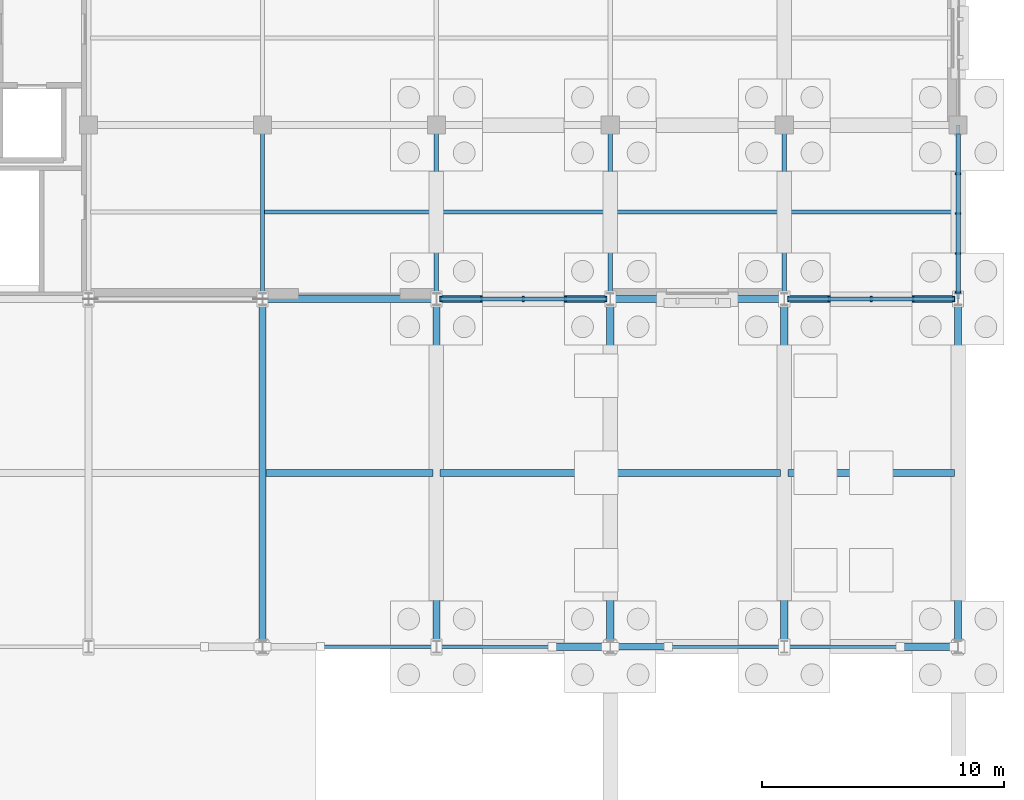
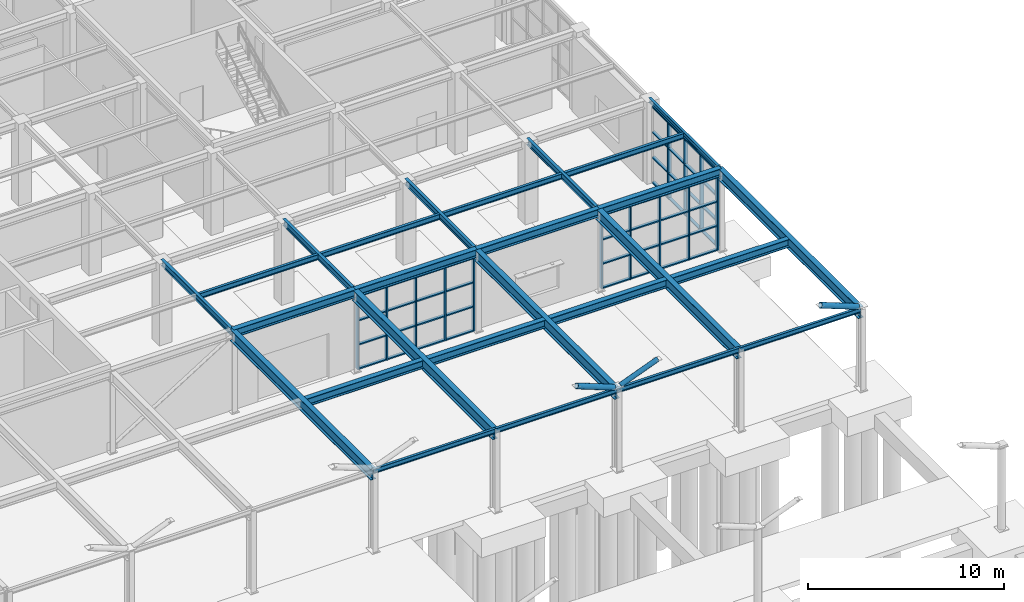
# One storey, part 33 of 75: 29 members, 26 beams, 3 elements without a shape of their own.
"""IFC4 building model written with IfcOpenShell, lengths in metres."""

from ifc_helpers import new_model, si_unit, direction, frame, origin, origin_2d, place, context, subcontext, project, spatial, rectangle, hollow_circle, i_section, extrude, material, material_profile, profile_set, type_object, element, aggregate, save


model = new_model("IFC4")

# Units and contexts
model_context = context("Model", 3, precision=1e-05, world=origin(), true_north=direction((0.0, 1.0)))
body_context = subcontext(model_context, "Body", "Model", "MODEL_VIEW")
ifc_project = project(units=[si_unit("LENGTHUNIT", "METRE"), si_unit("AREAUNIT", "SQUARE_METRE"), si_unit("VOLUMEUNIT", "CUBIC_METRE"), si_unit("PLANEANGLEUNIT", "RADIAN"), si_unit("MASSUNIT", "GRAM", prefix="KILO")], contexts=[model_context])

# Site, building, storey
site_placement = place(None, origin())
site = spatial("IfcSite", under=ifc_project, at=site_placement, CompositionType="ELEMENT")
building_placement = place(site_placement, origin())
building = spatial("IfcBuilding", under=site, at=building_placement, Name="Leyfeld Transit Interchange", CompositionType="ELEMENT")
storey_placement = place(building_placement, origin())
storey = spatial("IfcBuildingStorey", under=building, at=storey_placement, Name="L00", CompositionType="ELEMENT", Elevation=0.0)

# Beams
ifc_material_1 = material(Name="Steel S355J2", Category="steel")
ifc_material_profile_1 = material_profile(ifc_material_1, i_section(OverallWidth=0.300048828125, OverallDepth=0.5, WebThickness=0.014404296875, FlangeThickness=0.028076171875, FilletRadius=0.027099609375, at=origin_2d()), Name="HEB 500")
ifc_profile_set_1 = profile_set([ifc_material_profile_1], Name="Steel S355J2")
beam_type_1 = type_object("IfcBeamType", Name="BM-STL-HEB500", PredefinedType="JOIST", material=ifc_profile_set_1)
beam_1_placement = place(storey_placement, frame((158.547119140625, 50.39990234375, 4.85009765625), z_axis=(1.0, 0.0, 0.0), x_axis=(0.0, 1.0, 0.0)))
element("IfcBeam", 1, at=beam_1_placement, inside=storey, type_object=beam_type_1, Name="Beam BM-L00-1585_0504-1655_0504", PredefinedType="JOIST", context=body_context, shape_type="SweptSolid", body=[
    extrude(i_section(OverallWidth=0.300048828125, OverallDepth=0.5, WebThickness=0.014404296875, FlangeThickness=0.028076171875, FilletRadius=0.027099609375, at=origin_2d()), origin(), (0.0, 0.0, 1.0), 6.90576171875),
])
for number, where, z_axis, x_axis, name in (
    (2, (165.7470703125, 50.39990234375, 4.85009765625), (1.0, 0.0, 0.0), (0.0, 1.0, 0.0), "Beam BM-L00-1657_0504-1727_0504"),
    (3, (172.947021484375, 50.39990234375, 4.85009765625), (1.0, 0.0, 0.0), (0.0, 1.0, 0.0), "Beam BM-L00-1729_0504-1799_0504"),
    (4, (180.14697265625, 50.39990234375, 4.85009765625), (1.0, 0.0, 0.0), (0.0, 1.0, 0.0), "Beam BM-L00-1801_0504-1871_0504"),
):
    element("IfcBeam", number, at=place(storey_placement, frame(where, z_axis=z_axis, x_axis=x_axis)), inside=storey, type_object=beam_type_1, Name=name, PredefinedType="JOIST", context=body_context, shape_type="SweptSolid", body=[
        extrude(i_section(OverallWidth=0.300048828125, OverallDepth=0.5, WebThickness=0.014404296875, FlangeThickness=0.028076171875, FilletRadius=0.027099609375, at=origin_2d()), origin(), (0.0, 0.0, 1.0), 6.906005859375),
    ])
beam_2_placement = place(storey_placement, frame((158.39990234375, 57.60009765625, 4.85009765625), z_axis=(1.0, 0.0, 0.0), x_axis=(0.0, 1.0, 0.0)))
element("IfcBeam", 5, at=beam_2_placement, inside=storey, type_object=beam_type_1, Name="Beam BM-L00-1584_0576-1656_0576", PredefinedType="JOIST", context=body_context, shape_type="SweptSolid", body=[
    extrude(i_section(OverallWidth=0.300048828125, OverallDepth=0.5, WebThickness=0.014404296875, FlangeThickness=0.028076171875, FilletRadius=0.027099609375, at=origin_2d()), origin(), (0.0, 0.0, 1.0), 7.2001953125),
])
for number, where, z_axis, x_axis, name in (
    (6, (165.60009765625, 57.60009765625, 4.85009765625), (1.0, 0.0, 0.0), (0.0, 1.0, 0.0), "Beam BM-L00-1656_0576-1728_0576"),
    (7, (172.800048828125, 57.60009765625, 4.85009765625), (1.0, 0.0, 0.0), (0.0, 1.0, 0.0), "Beam BM-L00-1728_0576-1800_0576"),
    (8, (180.0, 57.60009765625, 4.85009765625), (1.0, 0.0, 0.0), (0.0, 1.0, 0.0), "Beam BM-L00-1800_0576-1872_0576"),
):
    element("IfcBeam", number, at=place(storey_placement, frame(where, z_axis=z_axis, x_axis=x_axis)), inside=storey, type_object=beam_type_1, Name=name, PredefinedType="JOIST", context=body_context, shape_type="SweptSolid", body=[
        extrude(i_section(OverallWidth=0.300048828125, OverallDepth=0.5, WebThickness=0.014404296875, FlangeThickness=0.028076171875, FilletRadius=0.027099609375, at=origin_2d()), origin(), (0.0, 0.0, 1.0), 7.199951171875),
    ])
ifc_material_profile_2 = material_profile(ifc_material_1, i_section(OverallWidth=0.300048828125, OverallDepth=0.699951171875, WebThickness=0.01708984375, FlangeThickness=0.031982421875, FilletRadius=0.027099609375, at=origin_2d()), Name="HEB 700")
ifc_profile_set_2 = profile_set([ifc_material_profile_2], Name="Steel S355J2")
beam_type_2 = type_object("IfcBeamType", Name="BM-STL-HEB700", PredefinedType="JOIST", material=ifc_profile_set_2)
for number, where, z_axis, x_axis, name in (
    (9, (158.39990234375, 43.199951171875, 4.75), (0.0, 1.0, 0.0), (-1.0, 0.0, 0.0), "Beam BM-L00-1584_0432-1584_0576"),
    (10, (165.60009765625, 43.199951171875, 4.75), (0.0, 1.0, 0.0), (-1.0, 0.0, 0.0), "Beam BM-L00-1656_0432-1656_0576"),
    (11, (172.800048828125, 43.199951171875, 4.75), (0.0, 1.0, 0.0), (-1.0, 0.0, 0.0), "Beam BM-L00-1728_0432-1728_0576"),
    (12, (180.0, 43.199951171875, 4.75), (0.0, 1.0, 0.0), (-1.0, 0.0, 0.0), "Beam BM-L00-1800_0432-1800_0576"),
    (13, (187.199951171875, 43.199951171875, 4.75), (0.0, 1.0, 0.0), (-1.0, 0.0, 0.0), "Beam BM-L00-1872_0432-1872_0576"),
):
    element("IfcBeam", number, at=place(storey_placement, frame(where, z_axis=z_axis, x_axis=x_axis)), inside=storey, type_object=beam_type_2, Name=name, PredefinedType="JOIST", context=body_context, shape_type="SweptSolid", body=[
        extrude(i_section(OverallWidth=0.300048828125, OverallDepth=0.699951171875, WebThickness=0.01708984375, FlangeThickness=0.031982421875, FilletRadius=0.027099609375, at=origin_2d()), origin(), (0.0, 0.0, 1.0), 14.400146484375),
    ])
ifc_material_profile_3 = material_profile(ifc_material_1, i_section(OverallWidth=0.14990234375, OverallDepth=0.300048828125, WebThickness=0.007080078125, FlangeThickness=0.0107421875, FilletRadius=0.014892578125, at=origin_2d()), Name="IPE 300")
ifc_profile_set_3 = profile_set([ifc_material_profile_3], Name="Steel S355J2")
beam_type_3 = type_object("IfcBeamType", Name="BM-STL-IPE300", PredefinedType="SPANDREL", material=ifc_profile_set_3)
beam_3_placement = place(storey_placement, frame((187.199951171875, 57.60009765625, 4.949951171875), z_axis=(0.0, 1.0, 0.0), x_axis=(-1.0, 0.0, 0.0)))
element("IfcBeam", 14, at=beam_3_placement, inside=storey, type_object=beam_type_3, Name="Beam BM-L00-1872_0576-1872_0648", PredefinedType="SPANDREL", context=body_context, shape_type="SweptSolid", body=[
    extrude(i_section(OverallWidth=0.14990234375, OverallDepth=0.300048828125, WebThickness=0.007080078125, FlangeThickness=0.0107421875, FilletRadius=0.014892578125, at=origin_2d()), origin(), (0.0, 0.0, 1.0), 7.199951171875),
])
beam_4_placement = place(storey_placement, frame((158.39990234375, 43.199951171875, 4.949951171875), z_axis=(1.0, 0.0, 0.0), x_axis=(0.0, 1.0, 0.0)))
element("IfcBeam", 15, at=beam_4_placement, inside=storey, type_object=beam_type_3, Name="Beam BM-L00-1584_0432-1656_0432", PredefinedType="SPANDREL", context=body_context, shape_type="SweptSolid", body=[
    extrude(i_section(OverallWidth=0.14990234375, OverallDepth=0.300048828125, WebThickness=0.007080078125, FlangeThickness=0.0107421875, FilletRadius=0.014892578125, at=origin_2d()), origin(), (0.0, 0.0, 1.0), 7.2001953125),
])
for number, where, z_axis, x_axis, name in (
    (16, (165.60009765625, 43.199951171875, 4.949951171875), (1.0, 0.0, 0.0), (0.0, 1.0, 0.0), "Beam BM-L00-1656_0432-1728_0432"),
    (17, (172.800048828125, 43.199951171875, 4.949951171875), (1.0, 0.0, 0.0), (0.0, 1.0, 0.0), "Beam BM-L00-1728_0432-1800_0432"),
    (18, (180.0, 43.199951171875, 4.949951171875), (1.0, 0.0, 0.0), (0.0, 1.0, 0.0), "Beam BM-L00-1800_0432-1872_0432"),
):
    element("IfcBeam", number, at=place(storey_placement, frame(where, z_axis=z_axis, x_axis=x_axis)), inside=storey, type_object=beam_type_3, Name=name, PredefinedType="SPANDREL", context=body_context, shape_type="SweptSolid", body=[
        extrude(i_section(OverallWidth=0.14990234375, OverallDepth=0.300048828125, WebThickness=0.007080078125, FlangeThickness=0.0107421875, FilletRadius=0.014892578125, at=origin_2d()), origin(), (0.0, 0.0, 1.0), 7.199951171875),
    ])
ifc_material_profile_4 = material_profile(ifc_material_1, i_section(OverallWidth=0.159912109375, OverallDepth=0.330078125, WebThickness=0.007568359375, FlangeThickness=0.011474609375, FilletRadius=0.01806640625, at=origin_2d()), Name="IPE 330")
ifc_profile_set_4 = profile_set([ifc_material_profile_4], Name="Steel S355J2")
beam_type_4 = type_object("IfcBeamType", Name="BM-STL-IPE330", PredefinedType="BEAM", material=ifc_profile_set_4)
for number, where, z_axis, x_axis, name in (
    (19, (158.487060546875, 61.199951171875, 4.93505859375), (1.0, 0.0, 0.0), (0.0, 1.0, 0.0), "Beam BM-L00-1585_0612-1655_0612"),
    (20, (165.68701171875, 61.199951171875, 4.93505859375), (1.0, 0.0, 0.0), (0.0, 1.0, 0.0), "Beam BM-L00-1657_0612-1727_0612"),
):
    element("IfcBeam", number, at=place(storey_placement, frame(where, z_axis=z_axis, x_axis=x_axis)), inside=storey, type_object=beam_type_4, Name=name, PredefinedType="BEAM", context=body_context, shape_type="SweptSolid", body=[
        extrude(i_section(OverallWidth=0.159912109375, OverallDepth=0.330078125, WebThickness=0.007568359375, FlangeThickness=0.011474609375, FilletRadius=0.01806640625, at=origin_2d()), origin(), (0.0, 0.0, 1.0), 7.02587890625),
    ])
beam_5_placement = place(storey_placement, frame((172.886962890625, 61.199951171875, 4.93505859375), z_axis=(1.0, 0.0, 0.0), x_axis=(0.0, 1.0, 0.0)))
element("IfcBeam", 21, at=beam_5_placement, inside=storey, type_object=beam_type_4, Name="Beam BM-L00-1729_0612-1799_0612", PredefinedType="BEAM", context=body_context, shape_type="SweptSolid", body=[
    extrude(i_section(OverallWidth=0.159912109375, OverallDepth=0.330078125, WebThickness=0.007568359375, FlangeThickness=0.011474609375, FilletRadius=0.01806640625, at=origin_2d()), origin(), (0.0, 0.0, 1.0), 7.026123046875),
])
beam_6_placement = place(storey_placement, frame((180.0869140625, 61.199951171875, 4.93505859375), z_axis=(1.0, 0.0, 0.0), x_axis=(0.0, 1.0, 0.0)))
element("IfcBeam", 22, at=beam_6_placement, inside=storey, type_object=beam_type_4, Name="Beam BM-L00-1801_0612-1871_0612", PredefinedType="BEAM", context=body_context, shape_type="SweptSolid", body=[
    extrude(i_section(OverallWidth=0.159912109375, OverallDepth=0.330078125, WebThickness=0.007568359375, FlangeThickness=0.011474609375, FilletRadius=0.01806640625, at=origin_2d()), origin(), (0.0, 0.0, 1.0), 7.041015625),
])
ifc_material_profile_5 = material_profile(ifc_material_1, i_section(OverallWidth=0.179931640625, OverallDepth=0.39990234375, WebThickness=0.008544921875, FlangeThickness=0.013427734375, FilletRadius=0.02099609375, at=origin_2d()), Name="IPE 400")
ifc_profile_set_5 = profile_set([ifc_material_profile_5], Name="Steel S355J2")
beam_type_5 = type_object("IfcBeamType", Name="BM-STL-IPE400", PredefinedType="BEAM", material=ifc_profile_set_5)
for number, where, z_axis, x_axis, name in (
    (23, (158.39990234375, 57.60009765625, 4.89990234375), (0.0, 1.0, 0.0), (-1.0, 0.0, 0.0), "Beam BM-L00-1584_0576-1584_0648"),
    (24, (165.60009765625, 57.60009765625, 4.89990234375), (0.0, 1.0, 0.0), (-1.0, 0.0, 0.0), "Beam BM-L00-1656_0576-1656_0648"),
    (25, (172.800048828125, 57.60009765625, 4.89990234375), (0.0, 1.0, 0.0), (-1.0, 0.0, 0.0), "Beam BM-L00-1728_0576-1728_0648"),
    (26, (180.0, 57.60009765625, 4.89990234375), (0.0, 1.0, 0.0), (-1.0, 0.0, 0.0), "Beam BM-L00-1800_0576-1800_0648"),
):
    element("IfcBeam", number, at=place(storey_placement, frame(where, z_axis=z_axis, x_axis=x_axis)), inside=storey, type_object=beam_type_5, Name=name, PredefinedType="BEAM", context=body_context, shape_type="SweptSolid", body=[
        extrude(i_section(OverallWidth=0.179931640625, OverallDepth=0.39990234375, WebThickness=0.008544921875, FlangeThickness=0.013427734375, FilletRadius=0.02099609375, at=origin_2d()), origin(), (0.0, 0.0, 1.0), 7.199951171875),
    ])

# Curtain wall, members
ifc_material_2 = material(Name="Anodised aluminium EN AW-6060 T66", Category="aluminium")
curtain_wall_type = type_object("IfcCurtainWallType", Name="CW-SYS-BUS-7200", PredefinedType="NOTDEFINED", material=ifc_material_2)
curtain_wall_1_placement = place(storey_placement, origin())
curtain_wall_1 = element("IfcCurtainWall", 27, at=curtain_wall_1_placement, inside=storey, type_object=curtain_wall_type, Name="Curtain Wall CW-L00-046", PredefinedType="NOTDEFINED")
ifc_material_profile_6 = material_profile(ifc_material_2, rectangle(XDim=0.074951171875, YDim=0.219970703125, at=origin_2d()), Name="CW-M 75x220")
ifc_profile_set_6 = profile_set([ifc_material_profile_6], Name="Anodised aluminium EN AW-6060 T66")
member_type_1 = type_object("IfcMemberType", Name="CW-MUL-180x70", PredefinedType="MULLION", material=ifc_profile_set_6)
member_1_placement = place(storey_placement, frame((187.199951171875, 62.786376953125, 0.0), z_axis=(0.0, 0.0, 1.0), x_axis=(0.0, -1.0, 0.0)))
member_1 = element("IfcMember", 28, at=member_1_placement, type_object=member_type_1, Name="Curtain Mullion CW-L00-046-M02", PredefinedType="MULLION", context=body_context, shape_type="SweptSolid", body=[
    extrude(rectangle(XDim=0.074951171875, YDim=0.219970703125, at=origin_2d()), origin(), (0.0, 0.0, 1.0), 4.77001953125),
])
member_2_placement = place(storey_placement, frame((187.199951171875, 61.137451171875, 0.0), z_axis=(0.0, 0.0, 1.0), x_axis=(0.0, -1.0, 0.0)))
member_2 = element("IfcMember", 29, at=member_2_placement, type_object=member_type_1, Name="Curtain Mullion CW-L00-046-M03", PredefinedType="MULLION", context=body_context, shape_type="SweptSolid", body=[
    extrude(rectangle(XDim=0.074951171875, YDim=0.219970703125, at=origin_2d()), origin(), (0.0, 0.0, 1.0), 4.77001953125),
])
member_3_placement = place(storey_placement, frame((187.199951171875, 59.48876953125, 0.0), z_axis=(0.0, 0.0, 1.0), x_axis=(0.0, -1.0, 0.0)))
member_3 = element("IfcMember", 30, at=member_3_placement, type_object=member_type_1, Name="Curtain Mullion CW-L00-046-M04", PredefinedType="MULLION", context=body_context, shape_type="SweptSolid", body=[
    extrude(rectangle(XDim=0.074951171875, YDim=0.219970703125, at=origin_2d()), origin(), (0.0, 0.0, 1.0), 4.77001953125),
])
member_4_placement = place(storey_placement, frame((187.199951171875, 57.87744140625, 0.0), z_axis=(0.0, 0.0, 1.0), x_axis=(0.0, -1.0, 0.0)))
member_4 = element("IfcMember", 31, at=member_4_placement, type_object=member_type_1, Name="Curtain Mullion CW-L00-046-M05", PredefinedType="MULLION", context=body_context, shape_type="SweptSolid", body=[
    extrude(rectangle(XDim=0.074951171875, YDim=0.219970703125, at=origin_2d()), origin(), (0.0, 0.0, 1.0), 4.77001953125),
])

curtain_wall_2_placement = place(storey_placement, origin())
curtain_wall_2 = element("IfcCurtainWall", 32, at=curtain_wall_2_placement, inside=storey, type_object=curtain_wall_type, Name="Curtain Wall CW-L00-047", PredefinedType="NOTDEFINED")
member_5_placement = place(storey_placement, frame((187.0224609375, 57.60009765625, 0.0), z_axis=(0.0, 0.0, 1.0), x_axis=(-1.0, 0.0, 0.0)))
member_5 = element("IfcMember", 33, at=member_5_placement, type_object=member_type_1, Name="Curtain Mullion CW-L00-047-M01", PredefinedType="MULLION", context=body_context, shape_type="SweptSolid", body=[
    extrude(rectangle(XDim=0.074951171875, YDim=0.219970703125, at=origin_2d()), origin(), (0.0, 0.0, 1.0), 4.60009765625),
])
member_6_placement = place(storey_placement, frame((185.330078125, 57.60009765625, 0.0), z_axis=(0.0, 0.0, 1.0), x_axis=(-1.0, 0.0, 0.0)))
member_6 = element("IfcMember", 34, at=member_6_placement, type_object=member_type_1, Name="Curtain Mullion CW-L00-047-M02", PredefinedType="MULLION", context=body_context, shape_type="SweptSolid", body=[
    extrude(rectangle(XDim=0.074951171875, YDim=0.219970703125, at=origin_2d()), origin(), (0.0, 0.0, 1.0), 4.60009765625),
])
member_7_placement = place(storey_placement, frame((183.60009765625, 57.60009765625, 0.0), z_axis=(0.0, 0.0, 1.0), x_axis=(-1.0, 0.0, 0.0)))
member_7 = element("IfcMember", 35, at=member_7_placement, type_object=member_type_1, Name="Curtain Mullion CW-L00-047-M03", PredefinedType="MULLION", context=body_context, shape_type="SweptSolid", body=[
    extrude(rectangle(XDim=0.074951171875, YDim=0.219970703125, at=origin_2d()), origin(), (0.0, 0.0, 1.0), 4.60009765625),
])
member_8_placement = place(storey_placement, frame((181.8701171875, 57.60009765625, 0.0), z_axis=(0.0, 0.0, 1.0), x_axis=(-1.0, 0.0, 0.0)))
member_8 = element("IfcMember", 36, at=member_8_placement, type_object=member_type_1, Name="Curtain Mullion CW-L00-047-M04", PredefinedType="MULLION", context=body_context, shape_type="SweptSolid", body=[
    extrude(rectangle(XDim=0.074951171875, YDim=0.219970703125, at=origin_2d()), origin(), (0.0, 0.0, 1.0), 4.60009765625),
])
member_9_placement = place(storey_placement, frame((180.177490234375, 57.60009765625, 0.0), z_axis=(0.0, 0.0, 1.0), x_axis=(-1.0, 0.0, 0.0)))
member_9 = element("IfcMember", 37, at=member_9_placement, type_object=member_type_1, Name="Curtain Mullion CW-L00-047-M05", PredefinedType="MULLION", context=body_context, shape_type="SweptSolid", body=[
    extrude(rectangle(XDim=0.074951171875, YDim=0.219970703125, at=origin_2d()), origin(), (0.0, 0.0, 1.0), 4.60009765625),
])

curtain_wall_3_placement = place(storey_placement, origin())
curtain_wall_3 = element("IfcCurtainWall", 38, at=curtain_wall_3_placement, inside=storey, type_object=curtain_wall_type, Name="Curtain Wall CW-L00-048", PredefinedType="NOTDEFINED")
member_10_placement = place(storey_placement, frame((172.62255859375, 57.60009765625, 0.0), z_axis=(0.0, 0.0, 1.0), x_axis=(-1.0, 0.0, 0.0)))
member_10 = element("IfcMember", 39, at=member_10_placement, type_object=member_type_1, Name="Curtain Mullion CW-L00-048-M01", PredefinedType="MULLION", context=body_context, shape_type="SweptSolid", body=[
    extrude(rectangle(XDim=0.074951171875, YDim=0.219970703125, at=origin_2d()), origin(), (0.0, 0.0, 1.0), 4.60009765625),
])
member_11_placement = place(storey_placement, frame((170.929931640625, 57.60009765625, 0.0), z_axis=(0.0, 0.0, 1.0), x_axis=(-1.0, 0.0, 0.0)))
member_11 = element("IfcMember", 40, at=member_11_placement, type_object=member_type_1, Name="Curtain Mullion CW-L00-048-M02", PredefinedType="MULLION", context=body_context, shape_type="SweptSolid", body=[
    extrude(rectangle(XDim=0.074951171875, YDim=0.219970703125, at=origin_2d()), origin(), (0.0, 0.0, 1.0), 4.60009765625),
])
member_12_placement = place(storey_placement, frame((169.199951171875, 57.60009765625, 0.0), z_axis=(0.0, 0.0, 1.0), x_axis=(-1.0, 0.0, 0.0)))
member_12 = element("IfcMember", 41, at=member_12_placement, type_object=member_type_1, Name="Curtain Mullion CW-L00-048-M03", PredefinedType="MULLION", context=body_context, shape_type="SweptSolid", body=[
    extrude(rectangle(XDim=0.074951171875, YDim=0.219970703125, at=origin_2d()), origin(), (0.0, 0.0, 1.0), 4.60009765625),
])
member_13_placement = place(storey_placement, frame((167.469970703125, 57.60009765625, 0.0), z_axis=(0.0, 0.0, 1.0), x_axis=(-1.0, 0.0, 0.0)))
member_13 = element("IfcMember", 42, at=member_13_placement, type_object=member_type_1, Name="Curtain Mullion CW-L00-048-M04", PredefinedType="MULLION", context=body_context, shape_type="SweptSolid", body=[
    extrude(rectangle(XDim=0.074951171875, YDim=0.219970703125, at=origin_2d()), origin(), (0.0, 0.0, 1.0), 4.60009765625),
])
member_14_placement = place(storey_placement, frame((165.777587890625, 57.60009765625, 0.0), z_axis=(0.0, 0.0, 1.0), x_axis=(-1.0, 0.0, 0.0)))
member_14 = element("IfcMember", 43, at=member_14_placement, type_object=member_type_1, Name="Curtain Mullion CW-L00-048-M05", PredefinedType="MULLION", context=body_context, shape_type="SweptSolid", body=[
    extrude(rectangle(XDim=0.074951171875, YDim=0.219970703125, at=origin_2d()), origin(), (0.0, 0.0, 1.0), 4.60009765625),
])

# Member
ifc_material_profile_7 = material_profile(ifc_material_2, rectangle(XDim=0.179931640625, YDim=0.074951171875, at=origin_2d()), Name="CW-TRN-160x70")
ifc_profile_set_7 = profile_set([ifc_material_profile_7], Name="Anodised aluminium EN AW-6060 T66")
member_type_2 = type_object("IfcMemberType", Name="CW-TRN-160x70", PredefinedType="USERDEFINED", material=ifc_profile_set_7)
member_15_placement = place(storey_placement, frame((187.199951171875, 64.43505859375, 0.03759765625), z_axis=(0.0, -1.0, 0.0), x_axis=(1.0, 0.0, 0.0)))
member_15 = element("IfcMember", 44, at=member_15_placement, type_object=member_type_2, Name="Curtain Transom CW-L00-046-T01", ObjectType="TRANSOM", PredefinedType="USERDEFINED", context=body_context, shape_type="SweptSolid", body=[
    extrude(rectangle(XDim=0.179931640625, YDim=0.074951171875, at=origin_2d()), origin(), (0.0, 0.0, 1.0), 6.594970703125),
])

member_16_placement = place(storey_placement, frame((187.199951171875, 64.43505859375, 1.6025390625), z_axis=(0.0, -1.0, 0.0), x_axis=(1.0, 0.0, 0.0)))
member_16 = element("IfcMember", 45, at=member_16_placement, type_object=member_type_2, Name="Curtain Transom CW-L00-046-T02", ObjectType="TRANSOM", PredefinedType="USERDEFINED", context=body_context, shape_type="SweptSolid", body=[
    extrude(rectangle(XDim=0.179931640625, YDim=0.074951171875, at=origin_2d()), origin(), (0.0, 0.0, 1.0), 6.594970703125),
])

member_17_placement = place(storey_placement, frame((187.199951171875, 64.43505859375, 3.16748046875), z_axis=(0.0, -1.0, 0.0), x_axis=(1.0, 0.0, 0.0)))
member_17 = element("IfcMember", 46, at=member_17_placement, type_object=member_type_2, Name="Curtain Transom CW-L00-046-T03", ObjectType="TRANSOM", PredefinedType="USERDEFINED", context=body_context, shape_type="SweptSolid", body=[
    extrude(rectangle(XDim=0.179931640625, YDim=0.074951171875, at=origin_2d()), origin(), (0.0, 0.0, 1.0), 6.594970703125),
])

member_18_placement = place(storey_placement, frame((187.199951171875, 64.43505859375, 4.732421875), z_axis=(0.0, -1.0, 0.0), x_axis=(1.0, 0.0, 0.0)))
member_18 = element("IfcMember", 47, at=member_18_placement, type_object=member_type_2, Name="Curtain Transom CW-L00-046-T04", ObjectType="TRANSOM", PredefinedType="USERDEFINED", context=body_context, shape_type="SweptSolid", body=[
    extrude(rectangle(XDim=0.179931640625, YDim=0.074951171875, at=origin_2d()), origin(), (0.0, 0.0, 1.0), 6.594970703125),
])

aggregate(curtain_wall_1, [member_1, member_2, member_3, member_4, member_15, member_16, member_17, member_18])

member_19_placement = place(storey_placement, frame((187.06005859375, 57.60009765625, 0.03759765625), z_axis=(-1.0, 0.0, 0.0), x_axis=(0.0, -1.0, 0.0)))
member_19 = element("IfcMember", 48, at=member_19_placement, type_object=member_type_2, Name="Curtain Transom CW-L00-047-T01", ObjectType="TRANSOM", PredefinedType="USERDEFINED", context=body_context, shape_type="SweptSolid", body=[
    extrude(rectangle(XDim=0.179931640625, YDim=0.074951171875, at=origin_2d()), origin(), (0.0, 0.0, 1.0), 6.920166015625),
])

member_20_placement = place(storey_placement, frame((187.06005859375, 57.60009765625, 1.5458984375), z_axis=(-1.0, 0.0, 0.0), x_axis=(0.0, -1.0, 0.0)))
member_20 = element("IfcMember", 49, at=member_20_placement, type_object=member_type_2, Name="Curtain Transom CW-L00-047-T02", ObjectType="TRANSOM", PredefinedType="USERDEFINED", context=body_context, shape_type="SweptSolid", body=[
    extrude(rectangle(XDim=0.179931640625, YDim=0.074951171875, at=origin_2d()), origin(), (0.0, 0.0, 1.0), 6.920166015625),
])

member_21_placement = place(storey_placement, frame((187.06005859375, 57.60009765625, 3.05419921875), z_axis=(-1.0, 0.0, 0.0), x_axis=(0.0, -1.0, 0.0)))
member_21 = element("IfcMember", 50, at=member_21_placement, type_object=member_type_2, Name="Curtain Transom CW-L00-047-T03", ObjectType="TRANSOM", PredefinedType="USERDEFINED", context=body_context, shape_type="SweptSolid", body=[
    extrude(rectangle(XDim=0.179931640625, YDim=0.074951171875, at=origin_2d()), origin(), (0.0, 0.0, 1.0), 6.920166015625),
])

member_22_placement = place(storey_placement, frame((187.06005859375, 57.60009765625, 4.5625), z_axis=(-1.0, 0.0, 0.0), x_axis=(0.0, -1.0, 0.0)))
member_22 = element("IfcMember", 51, at=member_22_placement, type_object=member_type_2, Name="Curtain Transom CW-L00-047-T04", ObjectType="TRANSOM", PredefinedType="USERDEFINED", context=body_context, shape_type="SweptSolid", body=[
    extrude(rectangle(XDim=0.179931640625, YDim=0.074951171875, at=origin_2d()), origin(), (0.0, 0.0, 1.0), 6.920166015625),
])

aggregate(curtain_wall_2, [member_5, member_6, member_7, member_8, member_9, member_19, member_20, member_21, member_22])

member_23_placement = place(storey_placement, frame((172.659912109375, 57.60009765625, 0.03759765625), z_axis=(-1.0, 0.0, 0.0), x_axis=(0.0, -1.0, 0.0)))
member_23 = element("IfcMember", 52, at=member_23_placement, type_object=member_type_2, Name="Curtain Transom CW-L00-048-T01", ObjectType="TRANSOM", PredefinedType="USERDEFINED", context=body_context, shape_type="SweptSolid", body=[
    extrude(rectangle(XDim=0.179931640625, YDim=0.074951171875, at=origin_2d()), origin(), (0.0, 0.0, 1.0), 6.919921875),
])

member_24_placement = place(storey_placement, frame((172.659912109375, 57.60009765625, 1.5458984375), z_axis=(-1.0, 0.0, 0.0), x_axis=(0.0, -1.0, 0.0)))
member_24 = element("IfcMember", 53, at=member_24_placement, type_object=member_type_2, Name="Curtain Transom CW-L00-048-T02", ObjectType="TRANSOM", PredefinedType="USERDEFINED", context=body_context, shape_type="SweptSolid", body=[
    extrude(rectangle(XDim=0.179931640625, YDim=0.074951171875, at=origin_2d()), origin(), (0.0, 0.0, 1.0), 6.919921875),
])

member_25_placement = place(storey_placement, frame((172.659912109375, 57.60009765625, 3.05419921875), z_axis=(-1.0, 0.0, 0.0), x_axis=(0.0, -1.0, 0.0)))
member_25 = element("IfcMember", 54, at=member_25_placement, type_object=member_type_2, Name="Curtain Transom CW-L00-048-T03", ObjectType="TRANSOM", PredefinedType="USERDEFINED", context=body_context, shape_type="SweptSolid", body=[
    extrude(rectangle(XDim=0.179931640625, YDim=0.074951171875, at=origin_2d()), origin(), (0.0, 0.0, 1.0), 6.919921875),
])

member_26_placement = place(storey_placement, frame((172.659912109375, 57.60009765625, 4.5625), z_axis=(-1.0, 0.0, 0.0), x_axis=(0.0, -1.0, 0.0)))
member_26 = element("IfcMember", 55, at=member_26_placement, type_object=member_type_2, Name="Curtain Transom CW-L00-048-T04", ObjectType="TRANSOM", PredefinedType="USERDEFINED", context=body_context, shape_type="SweptSolid", body=[
    extrude(rectangle(XDim=0.179931640625, YDim=0.074951171875, at=origin_2d()), origin(), (0.0, 0.0, 1.0), 6.919921875),
])

aggregate(curtain_wall_3, [member_10, member_11, member_12, member_13, member_14, member_23, member_24, member_25, member_26])

# Members
ifc_material_profile_8 = material_profile(ifc_material_1, hollow_circle(Radius=0.136474609375, WallThickness=0.012451171875, at=origin_2d()), Name="CHS 273x12.5")
ifc_profile_set_8 = profile_set([ifc_material_profile_8], Name="Steel S355J2")
member_type_3 = type_object("IfcMemberType", Name="MEM-VSTR-273", PredefinedType="STRUT", material=ifc_profile_set_8)
member_27_placement = place(storey_placement, frame((172.985107421875, 43.199951171875, 5.18994140625), z_axis=(0.932178115879, 0.0, 0.361999945133), x_axis=(0.0, 1.0, 0.0)))
element("IfcMember", 56, at=member_27_placement, inside=storey, type_object=member_type_3, Name="Bus Canopy V-Strut 041", PredefinedType="STRUT", context=body_context, shape_type="SweptSolid", body=[
    extrude(hollow_circle(Radius=0.136474609375, WallThickness=0.012451171875, at=origin_2d()), origin(), (0.0, 0.0, 1.0), 2.3759765625),
])
ifc_material_profile_9 = material_profile(ifc_material_1, hollow_circle(Radius=0.161865234375, WallThickness=0.01611328125, at=origin_2d()), Name="CHS 323.9x16")
ifc_profile_set_9 = profile_set([ifc_material_profile_9], Name="Steel S355J2")
member_type_4 = type_object("IfcMemberType", Name="MEM-VSTR-323", PredefinedType="STRUT", material=ifc_profile_set_9)
member_28_placement = place(storey_placement, frame((172.614990234375, 43.199951171875, 5.18994140625), z_axis=(-0.932191579147, 0.0, 0.361965274257), x_axis=(0.0, -1.0, 0.0)))
element("IfcMember", 57, at=member_28_placement, inside=storey, type_object=member_type_4, Name="Bus Canopy V-Strut 040", PredefinedType="STRUT", context=body_context, shape_type="SweptSolid", body=[
    extrude(hollow_circle(Radius=0.161865234375, WallThickness=0.01611328125, at=origin_2d()), origin(), (0.0, 0.0, 1.0), 2.376220703125),
])
member_29_placement = place(storey_placement, frame((187.014892578125, 43.199951171875, 5.18994140625), z_axis=(-0.932178115879, 0.0, 0.361999945133), x_axis=(0.0, -1.0, 0.0)))
element("IfcMember", 58, at=member_29_placement, inside=storey, type_object=member_type_4, Name="Bus Canopy V-Strut 045", PredefinedType="STRUT", context=body_context, shape_type="SweptSolid", body=[
    extrude(hollow_circle(Radius=0.161865234375, WallThickness=0.01611328125, at=origin_2d()), origin(), (0.0, 0.0, 1.0), 2.3759765625),
])

save(model, "model.ifc")
